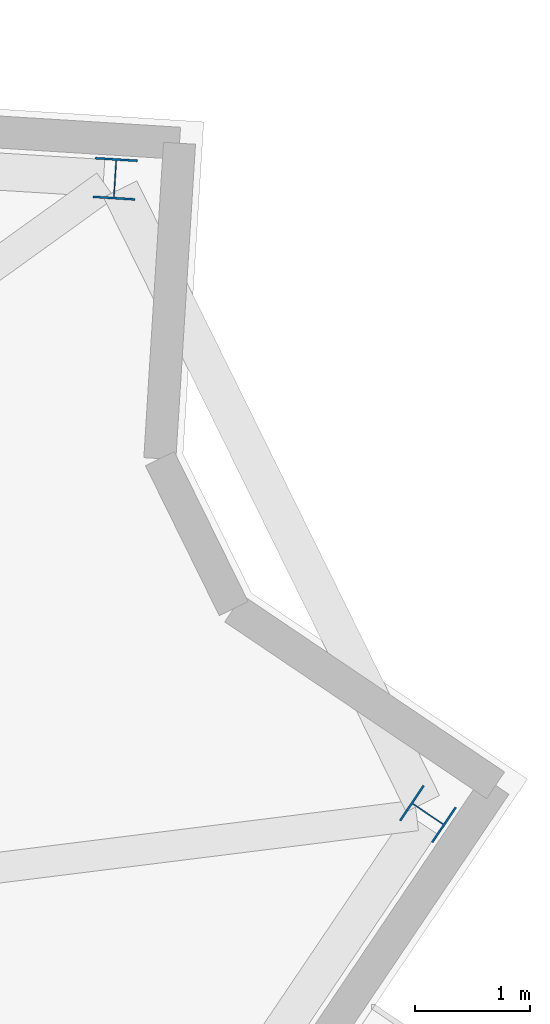
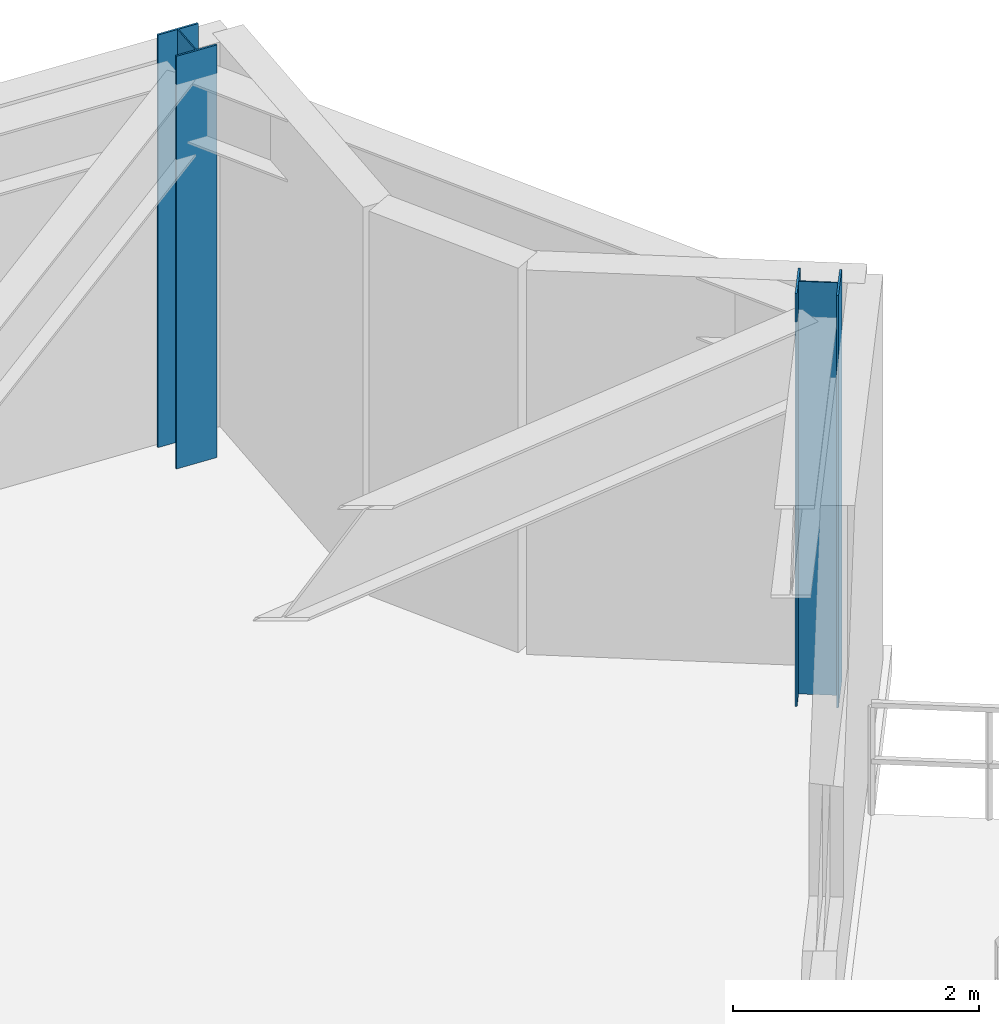
# One storey, part 3 of 11: 2 columns.
"""IFC4 building model written with IfcOpenShell, lengths in metres."""

from ifc_helpers import new_model, si_unit, direction, frame, origin, origin_2d, place, context, subcontext, project, spatial, i_section, extrude, material, material_profile, profile_set, type_object, element, save


model = new_model("IFC4")

# Units and contexts
model_context = context("Model", 3, precision=1e-05, world=origin(), true_north=direction((0.0, 1.0)))
body_context = subcontext(model_context, "Body", "Model", "MODEL_VIEW")
ifc_project = project(units=[si_unit("LENGTHUNIT", "METRE"), si_unit("AREAUNIT", "SQUARE_METRE"), si_unit("VOLUMEUNIT", "CUBIC_METRE"), si_unit("PLANEANGLEUNIT", "RADIAN"), si_unit("MASSUNIT", "GRAM", prefix="KILO")], contexts=[model_context])

# Site, building, storey
site_placement = place(None, origin())
site = spatial("IfcSite", under=ifc_project, at=site_placement, CompositionType="ELEMENT")
building_placement = place(site_placement, origin())
building = spatial("IfcBuilding", under=site, at=building_placement, Name="Apsidion Concourse Tower", CompositionType="ELEMENT")
storey_placement = place(building_placement, frame((0.0, 0.0, 314.699951171875)))
storey = spatial("IfcBuildingStorey", under=building, at=storey_placement, Name="L74", CompositionType="ELEMENT", Elevation=314.699951171875)

# Columns
ifc_material = material(Name="Structural steel ASTM A992 Grade 50", Category="steel")
ifc_material_profile = material_profile(ifc_material, i_section(OverallWidth=0.367919921875, OverallDepth=0.35595703125, WebThickness=0.01123046875, FlangeThickness=0.01806640625, at=origin_2d()), Name="W14X90")
ifc_profile_set = profile_set([ifc_material_profile], Name="Structural steel ASTM A992 Grade 50")
column_type = type_object("IfcColumnType", Name="COL-W14-90", PredefinedType="COLUMN", material=ifc_profile_set)
for number, where, z_axis, x_axis, name in (
    (1, (25.208984375, 8.83251953125, 0.0), (0.0, 0.0, 1.0), (0.559192903471, 0.829037572555, 0.0), "L74 Rotated Perimeter Column PC08"),
    (2, (22.47705078125, 14.378662109375, 0.0), (0.0, 0.0, 1.0), (-0.998081143466, 0.061919553109, 0.0), "L74 Rotated Perimeter Column PC09"),
):
    element("IfcColumn", number, at=place(storey_placement, frame(where, z_axis=z_axis, x_axis=x_axis)), inside=storey, type_object=column_type, Name=name, PredefinedType="COLUMN", context=body_context, shape_type="SweptSolid", body=[
        extrude(i_section(OverallWidth=0.367919921875, OverallDepth=0.35595703125, WebThickness=0.01123046875, FlangeThickness=0.01806640625, at=origin_2d()), origin(), (0.0, 0.0, 1.0), 4.10009765625),
    ])

save(model, "model.ifc")
